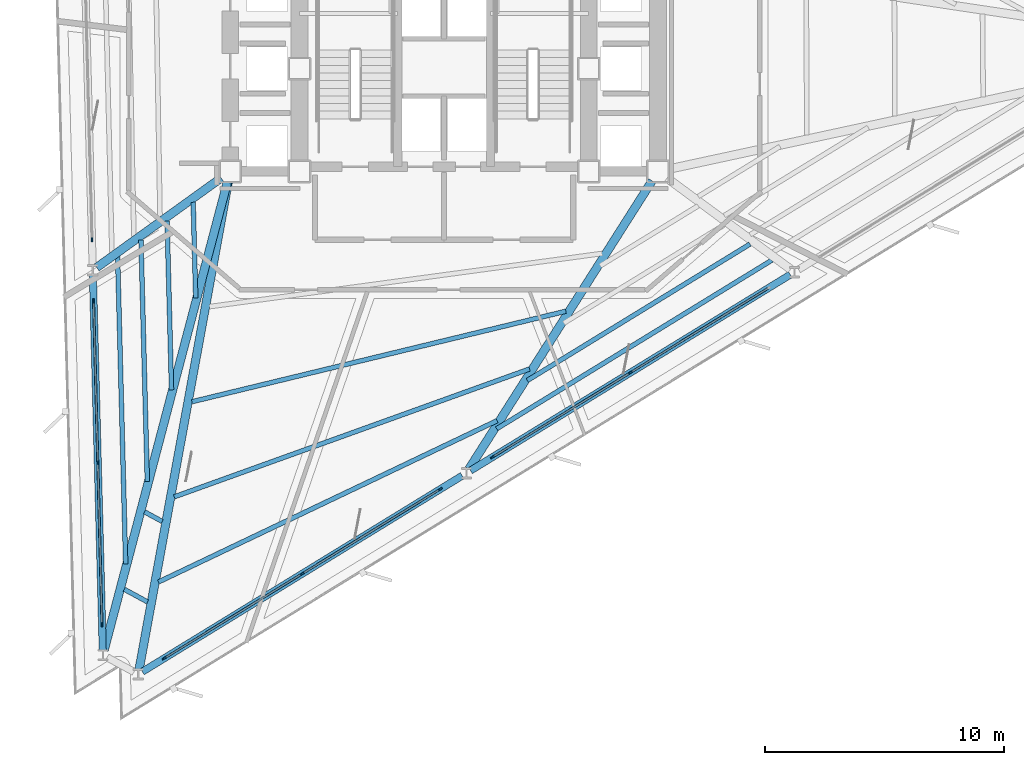
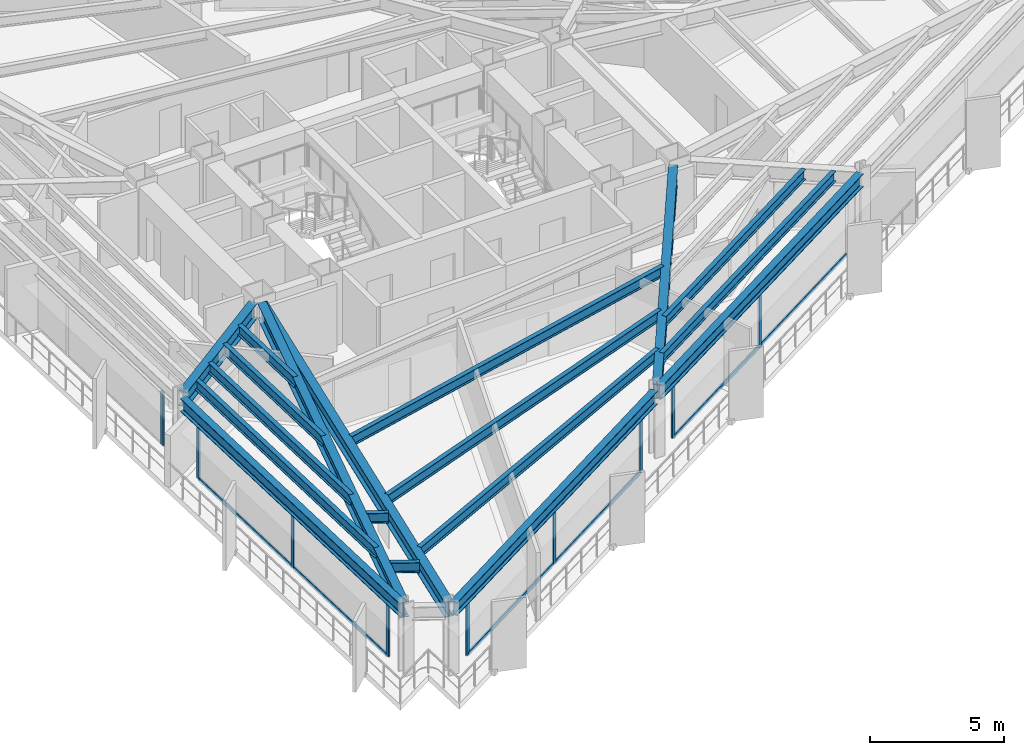
# One storey, part 2 of 14: 21 members, 18 beams, 4 elements without a shape of their own.
"""IFC4 building model written with IfcOpenShell, lengths in metres."""

from ifc_helpers import new_model, si_unit, direction, frame, origin, origin_2d, place, context, subcontext, project, spatial, rectangle, i_section, extrude, material, layer, layer_set, material_profile, profile_set, type_object, element, aggregate, save


model = new_model("IFC4")

# Units and contexts
model_context = context("Model", 3, precision=1e-05, world=origin(), true_north=direction((0.0, 1.0)))
body_context = subcontext(model_context, "Body", "Model", "MODEL_VIEW")
ifc_project = project(units=[si_unit("LENGTHUNIT", "METRE"), si_unit("AREAUNIT", "SQUARE_METRE"), si_unit("VOLUMEUNIT", "CUBIC_METRE"), si_unit("PLANEANGLEUNIT", "RADIAN"), si_unit("MASSUNIT", "GRAM", prefix="KILO")], contexts=[model_context])

# Site, building, storey
site_placement = place(None, origin())
site = spatial("IfcSite", under=ifc_project, at=site_placement, CompositionType="ELEMENT")
building_placement = place(site_placement, origin())
building = spatial("IfcBuilding", under=site, at=building_placement, Name="Rocaltana Carrier Exchange", CompositionType="ELEMENT")
storey_placement = place(building_placement, frame((0.0, 0.0, 35.679931640625)))
storey = spatial("IfcBuildingStorey", under=building, at=storey_placement, Name="L11", CompositionType="ELEMENT", Elevation=35.679931640625)

# Curtain wall, member
ifc_material_1 = material(Name="Aluminium 6063-T6", Category="aluminium")
ifc_layer = layer(ifc_material_1, 0.179931640625)
ifc_layer_set = layer_set([ifc_layer], Name="Aluminium 6063-T6")
curtain_wall_type = type_object("IfcCurtainWallType", Name="Sandstone Spandrel Unitised Curtain Wall CW-01", PredefinedType="NOTDEFINED", material=ifc_layer_set)
curtain_wall_1_placement = place(storey_placement, origin())
curtain_wall_1 = element("IfcCurtainWall", 1, at=curtain_wall_1_placement, inside=storey, type_object=curtain_wall_type, Name="L11 CW-01 Run CW-L11-F2S2", PredefinedType="NOTDEFINED")
ifc_material_2 = material(Name="Aluminium 6063-T6", Category="aluminium")
ifc_material_profile_1 = material_profile(ifc_material_2, rectangle(XDim=0.06494140625, YDim=0.179931640625, at=origin_2d()), Name="AL-65X180")
ifc_profile_set_1 = profile_set([ifc_material_profile_1], Name="Aluminium 6063-T6")
member_type_1 = type_object("IfcMemberType", Name="CW-01 Mullion AL-65X180", PredefinedType="MULLION", material=ifc_profile_set_1)
member_1_placement = place(storey_placement, frame((-14.733642578125, -7.155517578125, 0.0), z_axis=(0.0, 0.0, 1.0), x_axis=(0.99965733548, 0.026176547142, 0.0)))
member_1 = element("IfcMember", 2, at=member_1_placement, type_object=member_type_1, Name="CW-01 mullion 3", PredefinedType="MULLION", context=body_context, shape_type="SweptSolid", body=[
    extrude(rectangle(XDim=0.06494140625, YDim=0.179931640625, at=origin_2d()), origin(), (0.0, 0.0, 1.0), 2.47802734375),
])
aggregate(curtain_wall_1, [member_1])

# Curtain wall, members
curtain_wall_2_placement = place(storey_placement, origin())
curtain_wall_2 = element("IfcCurtainWall", 3, at=curtain_wall_2_placement, inside=storey, type_object=curtain_wall_type, Name="L11 CW-01 Run CW-L11-F2S3", PredefinedType="NOTDEFINED")
member_2_placement = place(storey_placement, frame((-14.66650390625, -9.7197265625, 0.0), z_axis=(0.0, 0.0, 1.0), x_axis=(0.999657143044, 0.026183895077, 0.0)))
member_2 = element("IfcMember", 4, at=member_2_placement, type_object=member_type_1, Name="CW-01 mullion 1", PredefinedType="MULLION", context=body_context, shape_type="SweptSolid", body=[
    extrude(rectangle(XDim=0.06494140625, YDim=0.179931640625, at=origin_2d()), origin(), (0.0, 0.0, 1.0), 2.47802734375),
])
member_3_placement = place(storey_placement, frame((-14.4892578125, -16.48486328125, 0.0), z_axis=(0.0, 0.0, 1.0), x_axis=(0.999657143044, 0.026183895077, 0.0)))
member_3 = element("IfcMember", 5, at=member_3_placement, type_object=member_type_1, Name="CW-01 mullion 2", PredefinedType="MULLION", context=body_context, shape_type="SweptSolid", body=[
    extrude(rectangle(XDim=0.06494140625, YDim=0.179931640625, at=origin_2d()), origin(), (0.0, 0.0, 1.0), 2.47802734375),
])
member_4_placement = place(storey_placement, frame((-14.31201171875, -23.25, 0.0), z_axis=(0.0, 0.0, 1.0), x_axis=(0.999657143044, 0.026183895077, 0.0)))
member_4 = element("IfcMember", 6, at=member_4_placement, type_object=member_type_1, Name="CW-01 mullion 3", PredefinedType="MULLION", context=body_context, shape_type="SweptSolid", body=[
    extrude(rectangle(XDim=0.06494140625, YDim=0.179931640625, at=origin_2d()), origin(), (0.0, 0.0, 1.0), 2.47802734375),
])

curtain_wall_3_placement = place(storey_placement, origin())
curtain_wall_3 = element("IfcCurtainWall", 7, at=curtain_wall_3_placement, inside=storey, type_object=curtain_wall_type, Name="L11 CW-01 Run CW-L11-F3S1", PredefinedType="NOTDEFINED")
member_5_placement = place(storey_placement, frame((-11.704345703125, -24.666015625, 0.0), z_axis=(0.0, 0.0, 1.0), x_axis=(-0.522505157925, 0.852636123996, 0.0)))
member_5 = element("IfcMember", 8, at=member_5_placement, type_object=member_type_1, Name="CW-01 mullion 1", PredefinedType="MULLION", context=body_context, shape_type="SweptSolid", body=[
    extrude(rectangle(XDim=0.06494140625, YDim=0.179931640625, at=origin_2d()), origin(), (0.0, 0.0, 1.0), 2.47802734375),
])
member_6_placement = place(storey_placement, frame((-5.93408203125, -21.130126953125, 0.0), z_axis=(0.0, 0.0, 1.0), x_axis=(-0.522505157925, 0.852636123996, 0.0)))
member_6 = element("IfcMember", 9, at=member_6_placement, type_object=member_type_1, Name="CW-01 mullion 2", PredefinedType="MULLION", context=body_context, shape_type="SweptSolid", body=[
    extrude(rectangle(XDim=0.06494140625, YDim=0.179931640625, at=origin_2d()), origin(), (0.0, 0.0, 1.0), 2.47802734375),
])
member_7_placement = place(storey_placement, frame((-0.163818359375, -17.593994140625, 0.0), z_axis=(0.0, 0.0, 1.0), x_axis=(-0.522505157925, 0.852636123996, 0.0)))
member_7 = element("IfcMember", 10, at=member_7_placement, type_object=member_type_1, Name="CW-01 mullion 3", PredefinedType="MULLION", context=body_context, shape_type="SweptSolid", body=[
    extrude(rectangle(XDim=0.06494140625, YDim=0.179931640625, at=origin_2d()), origin(), (0.0, 0.0, 1.0), 2.47802734375),
])

curtain_wall_4_placement = place(storey_placement, origin())
curtain_wall_4 = element("IfcCurtainWall", 11, at=curtain_wall_4_placement, inside=storey, type_object=curtain_wall_type, Name="L11 CW-01 Run CW-L11-F3S2", PredefinedType="NOTDEFINED")
member_8_placement = place(storey_placement, frame((2.023193359375, -16.25390625, 0.0), z_axis=(0.0, 0.0, 1.0), x_axis=(-0.522499812415, 0.852639399762, 0.0)))
member_8 = element("IfcMember", 12, at=member_8_placement, type_object=member_type_1, Name="CW-01 mullion 1", PredefinedType="MULLION", context=body_context, shape_type="SweptSolid", body=[
    extrude(rectangle(XDim=0.06494140625, YDim=0.179931640625, at=origin_2d()), origin(), (0.0, 0.0, 1.0), 2.47802734375),
])
member_9_placement = place(storey_placement, frame((7.79345703125, -12.7177734375, 0.0), z_axis=(0.0, 0.0, 1.0), x_axis=(-0.522499812415, 0.852639399762, 0.0)))
member_9 = element("IfcMember", 13, at=member_9_placement, type_object=member_type_1, Name="CW-01 mullion 2", PredefinedType="MULLION", context=body_context, shape_type="SweptSolid", body=[
    extrude(rectangle(XDim=0.06494140625, YDim=0.179931640625, at=origin_2d()), origin(), (0.0, 0.0, 1.0), 2.47802734375),
])

# Member
ifc_material_3 = material(Name="Aluminium 6063-T6", Category="aluminium")
ifc_material_profile_2 = material_profile(ifc_material_3, rectangle(XDim=0.06494140625, YDim=0.179931640625, at=origin_2d()), Name="AL-65X180")
ifc_profile_set_2 = profile_set([ifc_material_profile_2], Name="Aluminium 6063-T6")
member_type_2 = type_object("IfcMemberType", Name="CW-01 Transom AL-65X180", PredefinedType="USERDEFINED", material=ifc_profile_set_2)
member_10_placement = place(storey_placement, frame((-14.66552734375, -9.752197265625, 0.032470703125), z_axis=(0.026189818331, -0.999656987879, 0.0), x_axis=(0.999656987879, 0.026189818331, 0.0)))
member_10 = element("IfcMember", 14, at=member_10_placement, type_object=member_type_2, Name="CW-01 transom 1.1", ObjectType="TRANSOM", PredefinedType="USERDEFINED", context=body_context, shape_type="SweptSolid", body=[
    extrude(rectangle(XDim=0.06494140625, YDim=0.179931640625, at=origin_2d()), origin(), (0.0, 0.0, 1.0), 6.702392578125),
])

member_11_placement = place(storey_placement, frame((-14.66552734375, -9.752197265625, 2.445556640625), z_axis=(0.026189818331, -0.999656987879, 0.0), x_axis=(0.999656987879, 0.026189818331, 0.0)))
member_11 = element("IfcMember", 15, at=member_11_placement, type_object=member_type_2, Name="CW-01 transom 1.2", ObjectType="TRANSOM", PredefinedType="USERDEFINED", context=body_context, shape_type="SweptSolid", body=[
    extrude(rectangle(XDim=0.06494140625, YDim=0.179931640625, at=origin_2d()), origin(), (0.0, 0.0, 1.0), 6.702392578125),
])

member_12_placement = place(storey_placement, frame((-14.48828125, -16.517333984375, 0.032470703125), z_axis=(0.026153417925, -0.999657940863, 0.0), x_axis=(0.999657940863, 0.026153417925, 0.0)))
member_12 = element("IfcMember", 16, at=member_12_placement, type_object=member_type_2, Name="CW-01 transom 2.1", ObjectType="TRANSOM", PredefinedType="USERDEFINED", context=body_context, shape_type="SweptSolid", body=[
    extrude(rectangle(XDim=0.06494140625, YDim=0.179931640625, at=origin_2d()), origin(), (0.0, 0.0, 1.0), 6.702392578125),
])

member_13_placement = place(storey_placement, frame((-14.48828125, -16.517333984375, 2.445556640625), z_axis=(0.026153417925, -0.999657940863, 0.0), x_axis=(0.999657940863, 0.026153417925, 0.0)))
member_13 = element("IfcMember", 17, at=member_13_placement, type_object=member_type_2, Name="CW-01 transom 2.2", ObjectType="TRANSOM", PredefinedType="USERDEFINED", context=body_context, shape_type="SweptSolid", body=[
    extrude(rectangle(XDim=0.06494140625, YDim=0.179931640625, at=origin_2d()), origin(), (0.0, 0.0, 1.0), 6.702392578125),
])

aggregate(curtain_wall_2, [member_2, member_3, member_4, member_10, member_11, member_12, member_13])

member_14_placement = place(storey_placement, frame((-11.676513671875, -24.649169921875, 0.032470703125), z_axis=(0.85263109068, 0.522513371318, 0.0), x_axis=(-0.522513371318, 0.85263109068, 0.0)))
member_14 = element("IfcMember", 18, at=member_14_placement, type_object=member_type_2, Name="CW-01 transom 1.1", ObjectType="TRANSOM", PredefinedType="USERDEFINED", context=body_context, shape_type="SweptSolid", body=[
    extrude(rectangle(XDim=0.06494140625, YDim=0.179931640625, at=origin_2d()), origin(), (0.0, 0.0, 1.0), 6.70263671875),
])

member_15_placement = place(storey_placement, frame((-11.676513671875, -24.649169921875, 2.445556640625), z_axis=(0.85263109068, 0.522513371318, 0.0), x_axis=(-0.522513371318, 0.85263109068, 0.0)))
member_15 = element("IfcMember", 19, at=member_15_placement, type_object=member_type_2, Name="CW-01 transom 1.2", ObjectType="TRANSOM", PredefinedType="USERDEFINED", context=body_context, shape_type="SweptSolid", body=[
    extrude(rectangle(XDim=0.06494140625, YDim=0.179931640625, at=origin_2d()), origin(), (0.0, 0.0, 1.0), 6.70263671875),
])

member_16_placement = place(storey_placement, frame((-5.90625, -21.113037109375, 0.032470703125), z_axis=(0.85264731822, 0.522486890488, 0.0), x_axis=(-0.522486890488, 0.85264731822, 0.0)))
member_16 = element("IfcMember", 20, at=member_16_placement, type_object=member_type_2, Name="CW-01 transom 2.1", ObjectType="TRANSOM", PredefinedType="USERDEFINED", context=body_context, shape_type="SweptSolid", body=[
    extrude(rectangle(XDim=0.06494140625, YDim=0.179931640625, at=origin_2d()), origin(), (0.0, 0.0, 1.0), 6.702392578125),
])

member_17_placement = place(storey_placement, frame((-5.90625, -21.113037109375, 2.445556640625), z_axis=(0.85264731822, 0.522486890488, 0.0), x_axis=(-0.522486890488, 0.85264731822, 0.0)))
member_17 = element("IfcMember", 21, at=member_17_placement, type_object=member_type_2, Name="CW-01 transom 2.2", ObjectType="TRANSOM", PredefinedType="USERDEFINED", context=body_context, shape_type="SweptSolid", body=[
    extrude(rectangle(XDim=0.06494140625, YDim=0.179931640625, at=origin_2d()), origin(), (0.0, 0.0, 1.0), 6.702392578125),
])

aggregate(curtain_wall_3, [member_5, member_6, member_7, member_14, member_15, member_16, member_17])

member_18_placement = place(storey_placement, frame((2.051025390625, -16.23681640625, 0.032470703125), z_axis=(0.852637373876, 0.522503118335, 0.0), x_axis=(-0.522503118335, 0.852637373876, 0.0)))
member_18 = element("IfcMember", 22, at=member_18_placement, type_object=member_type_2, Name="CW-01 transom 1.1", ObjectType="TRANSOM", PredefinedType="USERDEFINED", context=body_context, shape_type="SweptSolid", body=[
    extrude(rectangle(XDim=0.06494140625, YDim=0.179931640625, at=origin_2d()), origin(), (0.0, 0.0, 1.0), 6.7021484375),
])

member_19_placement = place(storey_placement, frame((2.051025390625, -16.23681640625, 2.445556640625), z_axis=(0.852637373876, 0.522503118335, 0.0), x_axis=(-0.522503118335, 0.852637373876, 0.0)))
member_19 = element("IfcMember", 23, at=member_19_placement, type_object=member_type_2, Name="CW-01 transom 1.2", ObjectType="TRANSOM", PredefinedType="USERDEFINED", context=body_context, shape_type="SweptSolid", body=[
    extrude(rectangle(XDim=0.06494140625, YDim=0.179931640625, at=origin_2d()), origin(), (0.0, 0.0, 1.0), 6.7021484375),
])

member_20_placement = place(storey_placement, frame((7.821044921875, -12.700927734375, 0.032470703125), z_axis=(0.85263109068, 0.522513371318, 0.0), x_axis=(-0.522513371318, 0.85263109068, 0.0)))
member_20 = element("IfcMember", 24, at=member_20_placement, type_object=member_type_2, Name="CW-01 transom 2.1", ObjectType="TRANSOM", PredefinedType="USERDEFINED", context=body_context, shape_type="SweptSolid", body=[
    extrude(rectangle(XDim=0.06494140625, YDim=0.179931640625, at=origin_2d()), origin(), (0.0, 0.0, 1.0), 6.70263671875),
])

member_21_placement = place(storey_placement, frame((7.821044921875, -12.700927734375, 2.445556640625), z_axis=(0.85263109068, 0.522513371318, 0.0), x_axis=(-0.522513371318, 0.85263109068, 0.0)))
member_21 = element("IfcMember", 25, at=member_21_placement, type_object=member_type_2, Name="CW-01 transom 2.2", ObjectType="TRANSOM", PredefinedType="USERDEFINED", context=body_context, shape_type="SweptSolid", body=[
    extrude(rectangle(XDim=0.06494140625, YDim=0.179931640625, at=origin_2d()), origin(), (0.0, 0.0, 1.0), 6.70263671875),
])

aggregate(curtain_wall_4, [member_8, member_9, member_18, member_19, member_20, member_21])

# Beams
ifc_material_4 = material(Name="Steel S355", Category="steel")
ifc_material_profile_3 = material_profile(ifc_material_4, i_section(OverallWidth=0.193115234375, OverallDepth=0.466064453125, WebThickness=0.011474609375, FlangeThickness=0.01904296875, FilletRadius=0.013916015625, at=origin_2d()), Name="W18X65")
ifc_profile_set_3 = profile_set([ifc_material_profile_3], Name="Steel S355")
beam_type_1 = type_object("IfcBeamType", Name="Floor Joist W18X65", PredefinedType="JOIST", material=ifc_profile_set_3)
beam_1_placement = place(storey_placement, frame((-10.498046875, -5.588623046875, 2.864990234375), z_axis=(0.02615756085, -0.999657832466, 0.0), x_axis=(0.999657832466, 0.02615756085, 0.0)))
element("IfcBeam", 26, at=beam_1_placement, inside=storey, type_object=beam_type_1, Name="FJ-L11-07-1", PredefinedType="JOIST", context=body_context, shape_type="SweptSolid", body=[
    extrude(i_section(OverallWidth=0.193115234375, OverallDepth=0.466064453125, WebThickness=0.011474609375, FlangeThickness=0.01904296875, FilletRadius=0.013916015625, at=origin_2d()), origin(), (0.0, 0.0, 1.0), 4.004150390625),
])
beam_2_placement = place(storey_placement, frame((-11.590576171875, -6.374755859375, 2.864990234375), z_axis=(0.026201236861, -0.999656688662, 0.0), x_axis=(0.999656688662, 0.026201236861, 0.0)))
element("IfcBeam", 27, at=beam_2_placement, inside=storey, type_object=beam_type_1, Name="FJ-L11-07-2", PredefinedType="JOIST", context=body_context, shape_type="SweptSolid", body=[
    extrude(i_section(OverallWidth=0.193115234375, OverallDepth=0.466064453125, WebThickness=0.011474609375, FlangeThickness=0.01904296875, FilletRadius=0.013916015625, at=origin_2d()), origin(), (0.0, 0.0, 1.0), 7.06298828125),
])
beam_3_placement = place(storey_placement, frame((-12.68310546875, -7.160888671875, 2.864990234375), z_axis=(0.026193779282, -0.999656884099, 0.0), x_axis=(0.999656884099, 0.026193779282, 0.0)))
element("IfcBeam", 28, at=beam_3_placement, inside=storey, type_object=beam_type_1, Name="FJ-L11-07-3", PredefinedType="JOIST", context=body_context, shape_type="SweptSolid", body=[
    extrude(i_section(OverallWidth=0.193115234375, OverallDepth=0.466064453125, WebThickness=0.011474609375, FlangeThickness=0.01904296875, FilletRadius=0.013916015625, at=origin_2d()), origin(), (0.0, 0.0, 1.0), 10.1220703125),
])
beam_4_placement = place(storey_placement, frame((-13.660400390625, -7.864501953125, 2.864990234375), z_axis=(0.026162886521, -0.999657693097, 0.0), x_axis=(0.999657693097, 0.026162886521, 0.0)))
element("IfcBeam", 29, at=beam_4_placement, inside=storey, type_object=beam_type_1, Name="FJ-L11-07-4", PredefinedType="JOIST", context=body_context, shape_type="SweptSolid", body=[
    extrude(i_section(OverallWidth=0.193115234375, OverallDepth=0.466064453125, WebThickness=0.011474609375, FlangeThickness=0.01904296875, FilletRadius=0.013916015625, at=origin_2d()), origin(), (0.0, 0.0, 1.0), 12.85888671875),
])
beam_5_placement = place(storey_placement, frame((-12.529296875, -18.54443359375, 2.864990234375), z_axis=(0.878797482276, -0.477194913159, 0.0), x_axis=(0.477194913159, 0.878797482276, 0.0)))
element("IfcBeam", 30, at=beam_5_placement, inside=storey, type_object=beam_type_1, Name="FJ-L11-08-3", PredefinedType="JOIST", context=body_context, shape_type="SweptSolid", body=[
    extrude(i_section(OverallWidth=0.193115234375, OverallDepth=0.466064453125, WebThickness=0.011474609375, FlangeThickness=0.01904296875, FilletRadius=0.013916015625, at=origin_2d()), origin(), (0.0, 0.0, 1.0), 0.83642578125),
])
beam_6_placement = place(storey_placement, frame((-13.3818359375, -21.781494140625, 2.864990234375), z_axis=(0.878771440965, -0.477242867462, 0.0), x_axis=(0.477242867462, 0.878771440965, 0.0)))
element("IfcBeam", 31, at=beam_6_placement, inside=storey, type_object=beam_type_1, Name="FJ-L11-08-4", PredefinedType="JOIST", context=body_context, shape_type="SweptSolid", body=[
    extrude(i_section(OverallWidth=0.193115234375, OverallDepth=0.466064453125, WebThickness=0.011474609375, FlangeThickness=0.01904296875, FilletRadius=0.013916015625, at=origin_2d()), origin(), (0.0, 0.0, 1.0), 1.10595703125),
])
beam_7_placement = place(storey_placement, frame((-10.55322265625, -13.936279296875, 2.864990234375), z_axis=(0.971913306863, 0.235339167889, 0.0), x_axis=(-0.235339167889, 0.971913306863, 0.0)))
element("IfcBeam", 32, at=beam_7_placement, inside=storey, type_object=beam_type_1, Name="FJ-L11-09-2", PredefinedType="JOIST", context=body_context, shape_type="SweptSolid", body=[
    extrude(i_section(OverallWidth=0.193115234375, OverallDepth=0.466064453125, WebThickness=0.011474609375, FlangeThickness=0.01904296875, FilletRadius=0.013916015625, at=origin_2d()), origin(), (0.0, 0.0, 1.0), 16.099365234375),
])
beam_8_placement = place(storey_placement, frame((-11.289794921875, -17.915283203125, 2.864990234375), z_axis=(0.940885835943, 0.338723845813, 0.0), x_axis=(-0.338723845813, 0.940885835943, 0.0)))
element("IfcBeam", 33, at=beam_8_placement, inside=storey, type_object=beam_type_1, Name="FJ-L11-09-3", PredefinedType="JOIST", context=body_context, shape_type="SweptSolid", body=[
    extrude(i_section(OverallWidth=0.193115234375, OverallDepth=0.466064453125, WebThickness=0.011474609375, FlangeThickness=0.01904296875, FilletRadius=0.013916015625, at=origin_2d()), origin(), (0.0, 0.0, 1.0), 15.799072265625),
])
beam_9_placement = place(storey_placement, frame((-11.950439453125, -21.475830078125, 2.864990234375), z_axis=(0.902777117636, 0.430108679141, 0.0), x_axis=(-0.430108679141, 0.902777117636, 0.0)))
element("IfcBeam", 34, at=beam_9_placement, inside=storey, type_object=beam_type_1, Name="FJ-L11-09-4", PredefinedType="JOIST", context=body_context, shape_type="SweptSolid", body=[
    extrude(i_section(OverallWidth=0.193115234375, OverallDepth=0.466064453125, WebThickness=0.011474609375, FlangeThickness=0.01904296875, FilletRadius=0.013916015625, at=origin_2d()), origin(), (0.0, 0.0, 1.0), 15.69482421875),
])
beam_10_placement = place(storey_placement, frame((3.48193359375, -13.047119140625, 2.864990234375), z_axis=(0.852647168541, 0.52248713475, 0.0), x_axis=(-0.52248713475, 0.852647168541, 0.0)))
element("IfcBeam", 35, at=beam_10_placement, inside=storey, type_object=beam_type_1, Name="FJ-L11-10-3", PredefinedType="JOIST", context=body_context, shape_type="SweptSolid", body=[
    extrude(i_section(OverallWidth=0.193115234375, OverallDepth=0.466064453125, WebThickness=0.011474609375, FlangeThickness=0.01904296875, FilletRadius=0.013916015625, at=origin_2d()), origin(), (0.0, 0.0, 1.0), 10.927001953125),
])
beam_11_placement = place(storey_placement, frame((2.19873046875, -15.06689453125, 2.864990234375), z_axis=(0.852643866126, 0.522492523926, 0.0), x_axis=(-0.522492523926, 0.852643866126, 0.0)))
element("IfcBeam", 36, at=beam_11_placement, inside=storey, type_object=beam_type_1, Name="FJ-L11-10-4", PredefinedType="JOIST", context=body_context, shape_type="SweptSolid", body=[
    extrude(i_section(OverallWidth=0.193115234375, OverallDepth=0.466064453125, WebThickness=0.011474609375, FlangeThickness=0.01904296875, FilletRadius=0.013916015625, at=origin_2d()), origin(), (0.0, 0.0, 1.0), 13.5029296875),
])
ifc_material_5 = material(Name="Steel S355", Category="steel")
ifc_material_profile_4 = material_profile(ifc_material_5, i_section(OverallWidth=0.35498046875, OverallDepth=0.695068359375, WebThickness=0.015380859375, FlangeThickness=0.02490234375, FilletRadius=0.01806640625, at=origin_2d()), Name="W27X146")
ifc_profile_set_4 = profile_set([ifc_material_profile_4], Name="Steel S355")
beam_type_2 = type_object("IfcBeamType", Name="Radial Girder W27X146", PredefinedType="BEAM", material=ifc_profile_set_4)
beam_12_placement = place(storey_placement, frame((-9.3291015625, -4.57275390625, 2.75048828125), z_axis=(-0.811680897727, -0.584101121609, 0.0), x_axis=(0.584101121609, -0.811680897727, 0.0)))
element("IfcBeam", 37, at=beam_12_placement, inside=storey, type_object=beam_type_2, Name="RG-L11-07", PredefinedType="BEAM", context=body_context, shape_type="SweptSolid", body=[
    extrude(i_section(OverallWidth=0.35498046875, OverallDepth=0.695068359375, WebThickness=0.015380859375, FlangeThickness=0.02490234375, FilletRadius=0.01806640625, at=origin_2d()), origin(), (0.0, 0.0, 1.0), 6.4130859375),
])
beam_13_placement = place(storey_placement, frame((-9.06884765625, -4.751708984375, 2.75048828125), z_axis=(-0.254688527576, -0.967023140323, 0.0), x_axis=(0.967023140323, -0.254688527576, 0.0)))
element("IfcBeam", 38, at=beam_13_placement, inside=storey, type_object=beam_type_2, Name="RG-L11-08", PredefinedType="BEAM", context=body_context, shape_type="SweptSolid", body=[
    extrude(i_section(OverallWidth=0.35498046875, OverallDepth=0.695068359375, WebThickness=0.015380859375, FlangeThickness=0.02490234375, FilletRadius=0.01806640625, at=origin_2d()), origin(), (0.0, 0.0, 1.0), 20.2509765625),
])
beam_14_placement = place(storey_placement, frame((-9.033935546875, -4.759521484375, 2.75048828125), z_axis=(-0.179928749917, -0.983679645491, 0.0), x_axis=(0.983679645491, -0.179928749917, 0.0)))
element("IfcBeam", 39, at=beam_14_placement, inside=storey, type_object=beam_type_2, Name="RG-L11-09", PredefinedType="BEAM", context=body_context, shape_type="SweptSolid", body=[
    extrude(i_section(OverallWidth=0.35498046875, OverallDepth=0.695068359375, WebThickness=0.015380859375, FlangeThickness=0.02490234375, FilletRadius=0.01806640625, at=origin_2d()), origin(), (0.0, 0.0, 1.0), 20.714111328125),
])
beam_15_placement = place(storey_placement, frame((8.69970703125, -4.694091796875, 2.75048828125), z_axis=(-0.536258289546, -0.844053936009, 0.0), x_axis=(0.844053936009, -0.536258289546, 0.0)))
element("IfcBeam", 40, at=beam_15_placement, inside=storey, type_object=beam_type_2, Name="RG-L11-10", PredefinedType="BEAM", context=body_context, shape_type="SweptSolid", body=[
    extrude(i_section(OverallWidth=0.35498046875, OverallDepth=0.695068359375, WebThickness=0.015380859375, FlangeThickness=0.02490234375, FilletRadius=0.01806640625, at=origin_2d()), origin(), (0.0, 0.0, 1.0), 14.285400390625),
])
ifc_material_6 = material(Name="Steel S355", Category="steel")
ifc_material_profile_5 = material_profile(ifc_material_6, i_section(OverallWidth=0.300048828125, OverallDepth=0.60009765625, WebThickness=0.015380859375, FlangeThickness=0.030029296875, FilletRadius=0.027099609375, at=origin_2d()), Name="HEB600")
ifc_profile_set_5 = profile_set([ifc_material_profile_5], Name="Steel S355")
beam_type_3 = type_object("IfcBeamType", Name="Spandrel Edge Beam HEB600", PredefinedType="SPANDREL", material=ifc_profile_set_5)
beam_16_placement = place(storey_placement, frame((-14.694580078125, -8.6416015625, 2.798095703125), z_axis=(0.026184348618, -0.999657131164, 0.0), x_axis=(0.999657131164, 0.026184348618, 0.0)))
element("IfcBeam", 41, at=beam_16_placement, inside=storey, type_object=beam_type_3, Name="SP-L11-07", PredefinedType="SPANDREL", context=body_context, shape_type="SweptSolid", body=[
    extrude(i_section(OverallWidth=0.300048828125, OverallDepth=0.60009765625, WebThickness=0.015380859375, FlangeThickness=0.030029296875, FilletRadius=0.027099609375, at=origin_2d()), origin(), (0.0, 0.0, 1.0), 15.692138671875),
])
beam_17_placement = place(storey_placement, frame((-12.623779296875, -25.2294921875, 2.798095703125), z_axis=(0.852642393394, 0.522494927236, 0.0), x_axis=(-0.522494927236, 0.852642393394, 0.0)))
element("IfcBeam", 42, at=beam_17_placement, inside=storey, type_object=beam_type_3, Name="SP-L11-09", PredefinedType="SPANDREL", context=body_context, shape_type="SweptSolid", body=[
    extrude(i_section(OverallWidth=0.300048828125, OverallDepth=0.60009765625, WebThickness=0.015380859375, FlangeThickness=0.030029296875, FilletRadius=0.027099609375, at=origin_2d()), origin(), (0.0, 0.0, 1.0), 15.69189453125),
])
beam_18_placement = place(storey_placement, frame((1.103515625, -16.8173828125, 2.798095703125), z_axis=(0.852646640744, 0.522487996061, 0.0), x_axis=(-0.522487996061, 0.852646640744, 0.0)))
element("IfcBeam", 43, at=beam_18_placement, inside=storey, type_object=beam_type_3, Name="SP-L11-10", PredefinedType="SPANDREL", context=body_context, shape_type="SweptSolid", body=[
    extrude(i_section(OverallWidth=0.300048828125, OverallDepth=0.60009765625, WebThickness=0.015380859375, FlangeThickness=0.030029296875, FilletRadius=0.027099609375, at=origin_2d()), origin(), (0.0, 0.0, 1.0), 15.692138671875),
])

save(model, "model.ifc")
